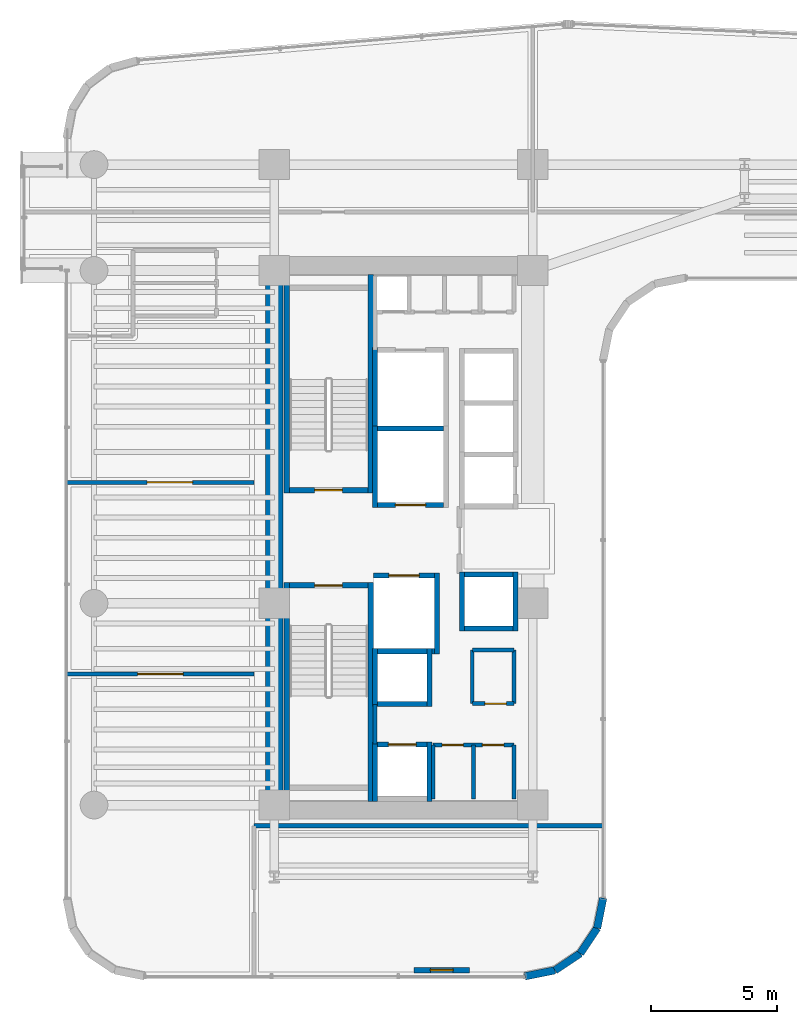
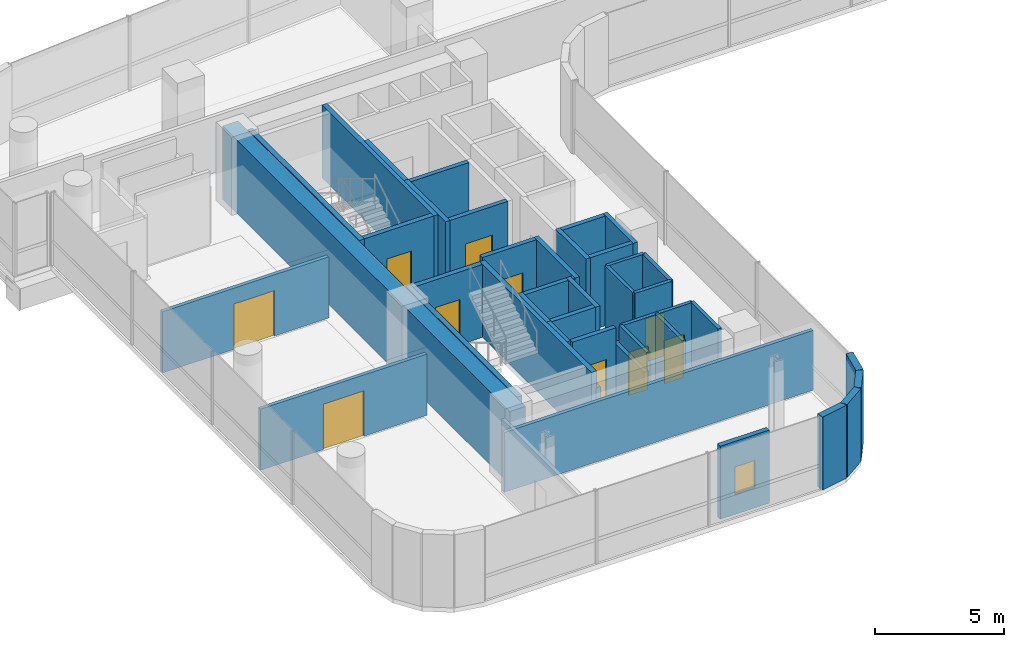
# One storey, part 27 of 35: 41 walls, 10 doors, 1 window, 11 openings.
"""IFC4 building model written with IfcOpenShell, lengths in metres."""

from ifc_helpers import new_model, si_unit, direction, frame, frame_2d, origin, place, context, subcontext, project, spatial, rectangle, extrude, material, layer, layer_set, type_object, element, fill, save


model = new_model("IFC4")

# Units and contexts
model_context = context("Model", 3, precision=1e-05, world=origin(), true_north=direction((0.0, 1.0)))
body_context = subcontext(model_context, "Body", "Model", "MODEL_VIEW")
ifc_project = project(units=[si_unit("LENGTHUNIT", "METRE"), si_unit("AREAUNIT", "SQUARE_METRE"), si_unit("VOLUMEUNIT", "CUBIC_METRE"), si_unit("PLANEANGLEUNIT", "RADIAN"), si_unit("MASSUNIT", "GRAM", prefix="KILO")], contexts=[model_context])

# Site, building, storey
site_placement = place(None, origin())
site = spatial("IfcSite", under=ifc_project, at=site_placement, CompositionType="ELEMENT")
building_placement = place(site_placement, origin())
building = spatial("IfcBuilding", under=site, at=building_placement, Name="Valdorenza Pilgrim Sanctuary Tower", CompositionType="ELEMENT")
storey_placement = place(building_placement, frame((0.0, 0.0, 124.199951171875)))
storey = spatial("IfcBuildingStorey", under=building, at=storey_placement, Name="L31", CompositionType="ELEMENT", Elevation=124.199951171875)

# Wall
ifc_material_1 = material(Name="Acoustic twin-stud gypsum partition", Category="gypsum")
ifc_layer_1 = layer(ifc_material_1, 0.159912109375, Name="Acoustic twin-stud gypsum partition")
ifc_layer_set_1 = layer_set([ifc_layer_1], Name="Acoustic twin-stud gypsum partition")
wall_type_1 = type_object("IfcWallType", Name="WAL-COR-160", PredefinedType="PARTITIONING", material=ifc_layer_set_1)
wall_1_placement = place(storey_placement, frame((-18.64990234375, -8.179931640625, 0.0), z_axis=(0.0, 0.0, 1.0), x_axis=(0.0, 1.0, 0.0)))
element("IfcWall", 1, at=wall_1_placement, inside=storey, type_object=wall_type_1, Name="L31 Core A South Lift Hall West Wall", PredefinedType="PARTITIONING", context=body_context, shape_type="SweptSolid", body=[
    extrude(rectangle(XDim=1.559814453125, YDim=0.159912109375, at=frame_2d((0.77978515625, 0.0))), origin(), (0.0, 0.0, 1.0), 3.4599609375),
])

# Wall, openings, doors
wall_2_placement = place(storey_placement, frame((-16.35009765625, -8.219970703125, 0.0), z_axis=(0.0, 0.0, 1.0), x_axis=(1.0, 0.0, 0.0)))
wall_2 = element("IfcWall", 2, at=wall_2_placement, inside=storey, type_object=wall_type_1, Name="L31 Freed Shaft 1 North Wall", PredefinedType="PARTITIONING", context=body_context, shape_type="SweptSolid", body=[
    extrude(rectangle(XDim=3.2001953125, YDim=0.159912109375, at=frame_2d((1.60009765625, 0.0))), origin(), (0.0, 0.0, 1.0), 3.4599609375),
])
opening_1_placement = place(wall_2_placement, frame((0.35009765625, 0.0, 0.0)))
opening_1 = element("IfcOpeningElement", 3, at=opening_1_placement, cuts=wall_2, Name="Opening DR-RS1", PredefinedType="OPENING", context=body_context, shape_type="SweptSolid", body=[
    extrude(rectangle(XDim=0.85009765625, YDim=2.050048828125, at=frame_2d((0.425048828125, 1.02490234375))), frame((0.0, 0.0947265625, 0.0), z_axis=(0.0, -1.0, 0.0), x_axis=(1.0, 0.0, 0.0)), (0.0, 0.0, 1.0), 0.189697265625),
])
opening_2_placement = place(wall_2_placement, frame((1.949951171875, 0.0, 0.0)))
opening_2 = element("IfcOpeningElement", 4, at=opening_2_placement, cuts=wall_2, Name="Opening DR-RS1", PredefinedType="OPENING", context=body_context, shape_type="SweptSolid", body=[
    extrude(rectangle(XDim=0.85009765625, YDim=2.050048828125, at=frame_2d((0.425048828125, 1.02490234375))), frame((0.0, 0.0947265625, 0.0), z_axis=(0.0, -1.0, 0.0), x_axis=(1.0, 0.0, 0.0)), (0.0, 0.0, 1.0), 0.189697265625),
])
ifc_material_2 = material(Name="Painted galvanized steel", Category="steel")
door_type_1 = type_object("IfcDoorType", Name="DR-RSR-850", OperationType="NOTDEFINED", PredefinedType="DOOR", material=ifc_material_2)
door_1_placement = place(opening_1_placement, origin())
door_1 = element("IfcDoor", 5, at=door_1_placement, inside=storey, type_object=door_type_1, Name="L31 Linen Store Door", OperationType="SINGLE_SWING_LEFT", OverallHeight=2.050048828125, OverallWidth=0.85009765625, PredefinedType="DOOR", context=body_context, shape_type="SweptSolid", body=[
    extrude(rectangle(XDim=0.85009765625, YDim=2.050048828125, at=frame_2d((0.425048828125, 1.02490234375))), frame((0.0, 0.02490234375, 0.0), z_axis=(0.0, -1.0, 0.0), x_axis=(1.0, 0.0, 0.0)), (0.0, 0.0, 1.0), 0.050048828125),
])
fill(opening_1, door_1)
door_2_placement = place(opening_2_placement, origin())
door_2 = element("IfcDoor", 6, at=door_2_placement, inside=storey, type_object=door_type_1, Name="L31 Cot Store Door", OperationType="SINGLE_SWING_RIGHT", OverallHeight=2.050048828125, OverallWidth=0.85009765625, PredefinedType="DOOR", context=body_context, shape_type="SweptSolid", body=[
    extrude(rectangle(XDim=0.85009765625, YDim=2.050048828125, at=frame_2d((0.425048828125, 1.02490234375))), frame((0.0, 0.02490234375, 0.0), z_axis=(0.0, -1.0, 0.0), x_axis=(1.0, 0.0, 0.0)), (0.0, 0.0, 1.0), 0.050048828125),
])
fill(opening_2, door_2)

# Walls
for number, where, z_axis, x_axis, name in (
    (7, (-13.14990234375, -10.35009765625, 0.0), (0.0, 0.0, 1.0), (0.0, 1.0, 0.0), "L31 Freed Shaft 1 East Wall"),
    (8, (-14.75, -10.35009765625, 0.0), (0.0, 0.0, 1.0), (0.0, 1.0, 0.0), "L31 Freed Shaft 1 Split Wall"),
):
    element("IfcWall", number, at=place(storey_placement, frame(where, z_axis=z_axis, x_axis=x_axis)), inside=storey, type_object=wall_type_1, Name=name, PredefinedType="PARTITIONING", context=body_context, shape_type="SweptSolid", body=[
        extrude(rectangle(XDim=2.130126953125, YDim=0.159912109375, at=frame_2d((1.06494140625, 0.0))), origin(), (0.0, 0.0, 1.0), 3.4599609375),
    ])

# Wall, opening, door
wall_3_placement = place(storey_placement, frame((-14.800048828125, -6.580078125, 0.0), z_axis=(0.0, 0.0, 1.0), x_axis=(1.0, 0.0, 0.0)))
wall_3 = element("IfcWall", 9, at=wall_3_placement, inside=storey, type_object=wall_type_1, Name="L31 Freed Shaft 2 South Wall", PredefinedType="PARTITIONING", context=body_context, shape_type="SweptSolid", body=[
    extrude(rectangle(XDim=1.650146484375, YDim=0.159912109375, at=frame_2d((0.8251953125, 0.0))), origin(), (0.0, 0.0, 1.0), 3.4599609375),
])
opening_3_placement = place(wall_3_placement, frame((0.5, 0.0, 0.0)))
opening_3 = element("IfcOpeningElement", 10, at=opening_3_placement, cuts=wall_3, Name="Opening DR-RS1", PredefinedType="OPENING", context=body_context, shape_type="SweptSolid", body=[
    extrude(rectangle(XDim=0.85009765625, YDim=2.050048828125, at=frame_2d((0.425048828125, 1.02490234375))), frame((0.0, 0.0947265625, 0.0), z_axis=(0.0, -1.0, 0.0), x_axis=(1.0, 0.0, 0.0)), (0.0, 0.0, 1.0), 0.189697265625),
])
door_3_placement = place(opening_3_placement, origin())
door_3 = element("IfcDoor", 11, at=door_3_placement, inside=storey, type_object=door_type_1, Name="L31 Guest Tea Pantry Door", OperationType="SINGLE_SWING_LEFT", OverallHeight=2.050048828125, OverallWidth=0.85009765625, PredefinedType="DOOR", context=body_context, shape_type="SweptSolid", body=[
    extrude(rectangle(XDim=0.85009765625, YDim=2.050048828125, at=frame_2d((0.425048828125, 1.02490234375))), frame((0.0, 0.02490234375, 0.0), z_axis=(0.0, -1.0, 0.0), x_axis=(1.0, 0.0, 0.0)), (0.0, 0.0, 1.0), 0.050048828125),
])
fill(opening_3, door_3)

# Walls
wall_4_placement = place(storey_placement, frame((-13.14990234375, -6.580078125, 0.0), z_axis=(0.0, 0.0, 1.0), x_axis=(0.0, 1.0, 0.0)))
element("IfcWall", 12, at=wall_4_placement, inside=storey, type_object=wall_type_1, Name="L31 Freed Shaft 2 East Wall", PredefinedType="PARTITIONING", context=body_context, shape_type="SweptSolid", body=[
    extrude(rectangle(XDim=2.130126953125, YDim=0.159912109375, at=frame_2d((1.06494140625, 0.0))), origin(), (0.0, 0.0, 1.0), 3.4599609375),
])
wall_5_placement = place(storey_placement, frame((-23.449951171875, -11.419921875, 0.0), z_axis=(0.0, 0.0, 1.0), x_axis=(1.0, 0.0, 0.0)))
element("IfcWall", 13, at=wall_5_placement, inside=storey, type_object=wall_type_1, Name="L31 South-East Pocket North Wall", PredefinedType="PARTITIONING", context=body_context, shape_type="SweptSolid", body=[
    extrude(rectangle(XDim=13.83984375, YDim=0.159912109375, at=frame_2d((6.919921875, 0.0))), origin(), (0.0, 0.0, 1.0), 2.833984375),
])

# Wall, opening, door
wall_6_placement = place(storey_placement, frame((-30.889892578125, -5.39990234375, 0.0), z_axis=(0.0, 0.0, 1.0), x_axis=(1.0, 0.0, 0.0)))
wall_6 = element("IfcWall", 14, at=wall_6_placement, inside=storey, type_object=wall_type_1, Name="L31 Cloister South Room Wall", PredefinedType="PARTITIONING", context=body_context, shape_type="SweptSolid", body=[
    extrude(rectangle(XDim=7.43994140625, YDim=0.159912109375, at=frame_2d((3.719970703125, 0.0))), origin(), (0.0, 0.0, 1.0), 2.89599609375),
])
opening_4_placement = place(wall_6_placement, frame((2.820068359375, 0.0, 0.0)))
opening_4 = element("IfcOpeningElement", 15, at=opening_4_placement, cuts=wall_6, Name="Opening DR-HL1", PredefinedType="OPENING", context=body_context, shape_type="SweptSolid", body=[
    extrude(rectangle(XDim=1.800048828125, YDim=2.14990234375, at=frame_2d((0.89990234375, 1.074951171875))), frame((0.0, 0.0947265625, 0.0), z_axis=(0.0, -1.0, 0.0), x_axis=(1.0, 0.0, 0.0)), (0.0, 0.0, 1.0), 0.189697265625),
])
ifc_material_3 = material(Name="Acoustic oak and vision-glass double door", Category="glass")
door_type_2 = type_object("IfcDoorType", Name="DR-HALL-1800", OperationType="NOTDEFINED", PredefinedType="DOOR", material=ifc_material_3)
door_4_placement = place(opening_4_placement, origin())
door_4 = element("IfcDoor", 16, at=door_4_placement, inside=storey, type_object=door_type_2, Name="L31 Sacred Archive Reading Library L31-S1 Door", OperationType="DOUBLE_DOOR_SINGLE_SWING", OverallHeight=2.14990234375, OverallWidth=1.800048828125, PredefinedType="DOOR", context=body_context, shape_type="SweptSolid", body=[
    extrude(rectangle(XDim=1.800048828125, YDim=2.14990234375, at=frame_2d((0.89990234375, 1.074951171875))), frame((0.0, 0.02490234375, 0.0), z_axis=(0.0, -1.0, 0.0), x_axis=(1.0, 0.0, 0.0)), (0.0, 0.0, 1.0), 0.050048828125),
])
fill(opening_4, door_4)

wall_7_placement = place(storey_placement, frame((-30.889892578125, 2.199951171875, 0.0), z_axis=(0.0, 0.0, 1.0), x_axis=(1.0, 0.0, 0.0)))
wall_7 = element("IfcWall", 17, at=wall_7_placement, inside=storey, type_object=wall_type_1, Name="L31 Cloister Mid Wall 2", PredefinedType="PARTITIONING", context=body_context, shape_type="SweptSolid", body=[
    extrude(rectangle(XDim=7.43994140625, YDim=0.159912109375, at=frame_2d((3.719970703125, 0.0))), origin(), (0.0, 0.0, 1.0), 2.89599609375),
])
opening_5_placement = place(wall_7_placement, frame((3.199951171875, 0.0, 0.0)))
opening_5 = element("IfcOpeningElement", 18, at=opening_5_placement, cuts=wall_7, Name="Opening DR-HL1", PredefinedType="OPENING", context=body_context, shape_type="SweptSolid", body=[
    extrude(rectangle(XDim=1.800048828125, YDim=2.14990234375, at=frame_2d((0.89990234375, 1.074951171875))), frame((0.0, 0.0947265625, 0.0), z_axis=(0.0, -1.0, 0.0), x_axis=(1.0, 0.0, 0.0)), (0.0, 0.0, 1.0), 0.189697265625),
])
door_5_placement = place(opening_5_placement, origin())
door_5 = element("IfcDoor", 19, at=door_5_placement, inside=storey, type_object=door_type_2, Name="L31 Cloister Mid Double Door", OperationType="DOUBLE_DOOR_SINGLE_SWING", OverallHeight=2.14990234375, OverallWidth=1.800048828125, PredefinedType="DOOR", context=body_context, shape_type="SweptSolid", body=[
    extrude(rectangle(XDim=1.800048828125, YDim=2.14990234375, at=frame_2d((0.89990234375, 1.074951171875))), frame((0.0, 0.02490234375, 0.0), z_axis=(0.0, -1.0, 0.0), x_axis=(1.0, 0.0, 0.0)), (0.0, 0.0, 1.0), 0.050048828125),
])
fill(opening_5, door_5)

# Walls
ifc_material_4 = material(Name="Concrete C60/75", Category="concrete")
ifc_layer_2 = layer(ifc_material_4, 0.699951171875, Name="Concrete C60/75")
ifc_layer_set_2 = layer_set([ifc_layer_2], Name="Concrete C60/75")
wall_type_2 = type_object("IfcWallType", Name="WAL-COR-700", PredefinedType="SHEAR", material=ifc_layer_set_2)
wall_8_placement = place(storey_placement, frame((-22.64990234375, -11.14990234375, 0.0), z_axis=(0.0, 0.0, 1.0), x_axis=(0.0, 1.0, 0.0)))
element("IfcWall", 20, at=wall_8_placement, inside=storey, type_object=wall_type_2, Name="L31 Split Core A Shear Wall W", PredefinedType="SHEAR", context=body_context, shape_type="SweptSolid", body=[
    extrude(rectangle(XDim=22.2998046875, YDim=0.699951171875, at=frame_2d((11.14990234375, 0.0))), origin(), (0.0, 0.0, 1.0), 3.4599609375),
])
ifc_material_5 = material(Name="Honed travertine limestone", Category="masonry")
ifc_layer_3 = layer(ifc_material_5, 0.300048828125, Name="Honed travertine limestone")
ifc_layer_set_3 = layer_set([ifc_layer_3], Name="Honed travertine limestone")
wall_type_3 = type_object("IfcWallType", Name="WAL-EXT-300", PredefinedType="SOLIDWALL", material=ifc_layer_set_3)
wall_9_placement = place(storey_placement, frame((-9.610107421875, -14.289306640625, 0.0), z_axis=(0.0, 0.0, 1.0), x_axis=(-0.194996050505, -0.980804027463, 0.0)))
element("IfcWall", 21, at=wall_9_placement, inside=storey, type_object=wall_type_3, Name="L31 Rounded Wind-Corner Stone Pier 42", PredefinedType="SOLIDWALL", context=body_context, shape_type="SweptSolid", body=[
    extrude(rectangle(XDim=1.2158203125, YDim=0.300048828125, at=frame_2d((0.60791015625, 0.0))), origin(), (0.0, 0.0, 1.0), 3.4599609375),
])
for number, where, z_axis, x_axis, name in (
    (22, (-9.84716796875, -15.481689453125, 0.0), (0.0, 0.0, 1.0), (-0.555635100982, -0.831426265255, 0.0), "L31 Rounded Wind-Corner Stone Pier 43"),
    (23, (-10.5166015625, -16.4833984375, 0.0), (0.0, 0.0, 1.0), (-0.831426265255, -0.555635100982, 0.0), "L31 Rounded Wind-Corner Stone Pier 44"),
):
    element("IfcWall", number, at=place(storey_placement, frame(where, z_axis=z_axis, x_axis=x_axis)), inside=storey, type_object=wall_type_3, Name=name, PredefinedType="SOLIDWALL", context=body_context, shape_type="SweptSolid", body=[
        extrude(rectangle(XDim=1.204833984375, YDim=0.300048828125, at=frame_2d((0.6025390625, 0.0))), origin(), (0.0, 0.0, 1.0), 3.4599609375),
    ])
wall_10_placement = place(storey_placement, frame((-11.518310546875, -17.15283203125, 0.0), z_axis=(0.0, 0.0, 1.0), x_axis=(-0.980804027463, -0.194996050505, 0.0)))
element("IfcWall", 24, at=wall_10_placement, inside=storey, type_object=wall_type_3, Name="L31 Rounded Wind-Corner Stone Pier 45", PredefinedType="SOLIDWALL", context=body_context, shape_type="SweptSolid", body=[
    extrude(rectangle(XDim=1.2158203125, YDim=0.300048828125, at=frame_2d((0.60791015625, 0.0))), origin(), (0.0, 0.0, 1.0), 3.4599609375),
])

# Wall, opening, window
wall_11_placement = place(storey_placement, frame((-14.910888671875, -17.14990234375, 0.0), z_axis=(0.0, 0.0, 1.0), x_axis=(-1.0, 0.0, 0.0)))
wall_11 = element("IfcWall", 25, at=wall_11_placement, inside=storey, type_object=wall_type_3, Name="L31 Operable Ventilation Sash Jamb Pier", PredefinedType="SOLIDWALL", context=body_context, shape_type="SweptSolid", body=[
    extrude(rectangle(XDim=2.199951171875, YDim=0.219970703125, at=frame_2d((1.10009765625, 0.0))), origin(), (0.0, 0.0, 1.0), 3.4599609375),
])
opening_6_placement = place(wall_11_placement, frame((0.64990234375, 0.0, 0.949951171875)))
opening_6 = element("IfcOpeningElement", 26, at=opening_6_placement, cuts=wall_11, Name="Opening WN-OP1", PredefinedType="OPENING", context=body_context, shape_type="SweptSolid", body=[
    extrude(rectangle(XDim=0.89990234375, YDim=1.300048828125, at=frame_2d((0.449951171875, 0.64990234375))), frame((0.0, 0.125, 0.0), z_axis=(0.0, -1.0, 0.0), x_axis=(1.0, 0.0, 0.0)), (0.0, 0.0, 1.0), 0.249755859375),
])
ifc_material_6 = material(Name="Ceramic-fritted low-E IGU glazing", Category="glass")
window_type = type_object("IfcWindowType", Name="WIN-OPN-900", PartitioningType="SINGLE_PANEL", PredefinedType="WINDOW", material=ifc_material_6)
window_placement = place(opening_6_placement, origin())
window = element("IfcWindow", 27, at=window_placement, inside=storey, type_object=window_type, Name="L31 Parallel-Pop-Out Operable Facade Panel", OverallHeight=1.300048828125, OverallWidth=0.89990234375, PartitioningType="SINGLE_PANEL", PredefinedType="WINDOW", context=body_context, shape_type="SweptSolid", body=[
    extrude(rectangle(XDim=0.89990234375, YDim=1.300048828125, at=frame_2d((0.449951171875, 0.64990234375))), frame((0.0, 0.030029296875, 0.0), z_axis=(0.0, -1.0, 0.0), x_axis=(1.0, 0.0, 0.0)), (0.0, 0.0, 1.0), 0.06005859375),
])
fill(opening_6, window)

# Wall
ifc_material_7 = material(Name="Autoclaved aerated concrete blockwork", Category="masonry")
ifc_layer_4 = layer(ifc_material_7, 0.199951171875, Name="Autoclaved aerated concrete blockwork")
ifc_layer_set_4 = layer_set([ifc_layer_4], Name="Autoclaved aerated concrete blockwork")
wall_type_4 = type_object("IfcWallType", Name="WAL-SHF-200", PredefinedType="MOVABLE", material=ifc_layer_set_4)
wall_12_placement = place(storey_placement, frame((-18.64990234375, 1.199951171875, 0.0), z_axis=(0.0, 0.0, 1.0), x_axis=(0.0, 1.0, 0.0)))
element("IfcWall", 28, at=wall_12_placement, inside=storey, type_object=wall_type_4, Name="L31 Lift FFL-01 Hoistway Wall West", PredefinedType="MOVABLE", context=body_context, shape_type="SweptSolid", body=[
    extrude(rectangle(XDim=3.22509765625, YDim=0.199951171875, at=frame_2d((1.612548828125, 0.0))), origin(), (0.0, 0.0, 1.0), 3.4599609375),
])

# Wall, opening, door
wall_13_placement = place(storey_placement, frame((-18.550048828125, 1.300048828125, 0.0), z_axis=(0.0, 0.0, 1.0), x_axis=(1.0, 0.0, 0.0)))
wall_13 = element("IfcWall", 29, at=wall_13_placement, inside=storey, type_object=wall_type_4, Name="L31 Lift FFL-01 Hoistway Wall South", PredefinedType="MOVABLE", context=body_context, shape_type="SweptSolid", body=[
    extrude(rectangle(XDim=2.60009765625, YDim=0.199951171875, at=frame_2d((1.300048828125, 0.0))), origin(), (0.0, 0.0, 1.0), 3.4599609375),
])
opening_7_placement = place(wall_13_placement, frame((0.699951171875, 0.0, 0.0)))
opening_7 = element("IfcOpeningElement", 30, at=opening_7_placement, cuts=wall_13, Name="Opening LD-02", PredefinedType="OPENING", context=body_context, shape_type="SweptSolid", body=[
    extrude(rectangle(XDim=1.199951171875, YDim=2.10009765625, at=frame_2d((0.60009765625, 1.050048828125))), frame((0.0, 0.11474609375, 0.0), z_axis=(0.0, -1.0, 0.0), x_axis=(1.0, 0.0, 0.0)), (0.0, 0.0, 1.0), 0.229736328125),
])
ifc_material_8 = material(Name="Brushed stainless steel Grade 316", Category="steel")
door_type_3 = type_object("IfcDoorType", Name="DR-LFT-1200", OperationType="DOUBLE_DOOR_SLIDING", PredefinedType="DOOR", material=ifc_material_8)
door_6_placement = place(opening_7_placement, origin())
door_6 = element("IfcDoor", 31, at=door_6_placement, inside=storey, type_object=door_type_3, Name="L31 Lift FFL-01 Sliding Landing Door", OperationType="DOUBLE_DOOR_SLIDING", OverallHeight=2.10009765625, OverallWidth=1.199951171875, PredefinedType="DOOR", context=body_context, shape_type="SweptSolid", body=[
    extrude(rectangle(XDim=1.199951171875, YDim=2.10009765625, at=frame_2d((0.60009765625, 1.050048828125))), frame((0.0, 0.02490234375, 0.0), z_axis=(0.0, -1.0, 0.0), x_axis=(1.0, 0.0, 0.0)), (0.0, 0.0, 1.0), 0.050048828125),
])
fill(opening_7, door_6)

# Walls
wall_14_placement = place(storey_placement, frame((-18.550048828125, 4.324951171875, 0.0), z_axis=(0.0, 0.0, 1.0), x_axis=(1.0, 0.0, 0.0)))
element("IfcWall", 32, at=wall_14_placement, inside=storey, type_object=wall_type_4, Name="L31 Lift FFL-01 Hoistway Wall North", PredefinedType="MOVABLE", context=body_context, shape_type="SweptSolid", body=[
    extrude(rectangle(XDim=2.60009765625, YDim=0.199951171875, at=frame_2d((1.300048828125, 0.0))), origin(), (0.0, 0.0, 1.0), 3.4599609375),
])
wall_15_placement = place(storey_placement, frame((-16.199951171875, -4.60009765625, 0.0), z_axis=(0.0, 0.0, 1.0), x_axis=(0.0, 1.0, 0.0)))
element("IfcWall", 33, at=wall_15_placement, inside=storey, type_object=wall_type_4, Name="L31 Lift FFL-02 Hoistway Wall East", PredefinedType="MOVABLE", context=body_context, shape_type="SweptSolid", body=[
    extrude(rectangle(XDim=3.2001953125, YDim=0.199951171875, at=frame_2d((1.60009765625, 0.0))), origin(), (0.0, 0.0, 1.0), 3.4599609375),
])
wall_16_placement = place(storey_placement, frame((-18.719970703125, -4.5, 0.0), z_axis=(0.0, 0.0, 1.0), x_axis=(1.0, 0.0, 0.0)))
element("IfcWall", 34, at=wall_16_placement, inside=storey, type_object=wall_type_4, Name="L31 Lift FFL-02 Hoistway Wall South", PredefinedType="MOVABLE", context=body_context, shape_type="SweptSolid", body=[
    extrude(rectangle(XDim=2.419921875, YDim=0.199951171875, at=frame_2d((1.2099609375, 0.0))), origin(), (0.0, 0.0, 1.0), 3.4599609375),
])

# Wall, opening, door
wall_17_placement = place(storey_placement, frame((-18.719970703125, -1.5, 0.0), z_axis=(0.0, 0.0, 1.0), x_axis=(1.0, 0.0, 0.0)))
wall_17 = element("IfcWall", 35, at=wall_17_placement, inside=storey, type_object=wall_type_4, Name="L31 Lift FFL-02 Hoistway Wall North", PredefinedType="MOVABLE", context=body_context, shape_type="SweptSolid", body=[
    extrude(rectangle(XDim=2.419921875, YDim=0.199951171875, at=frame_2d((1.2099609375, 0.0))), origin(), (0.0, 0.0, 1.0), 3.4599609375),
])
opening_8_placement = place(wall_17_placement, frame((0.610107421875, 0.0, 0.0)))
opening_8 = element("IfcOpeningElement", 36, at=opening_8_placement, cuts=wall_17, Name="Opening LD-02", PredefinedType="OPENING", context=body_context, shape_type="SweptSolid", body=[
    extrude(rectangle(XDim=1.199951171875, YDim=2.10009765625, at=frame_2d((0.60009765625, 1.050048828125))), frame((0.0, 0.11474609375, 0.0), z_axis=(0.0, -1.0, 0.0), x_axis=(1.0, 0.0, 0.0)), (0.0, 0.0, 1.0), 0.229736328125),
])
door_7_placement = place(opening_8_placement, origin())
door_7 = element("IfcDoor", 37, at=door_7_placement, inside=storey, type_object=door_type_3, Name="L31 Lift FFL-02 Sliding Landing Door", OperationType="DOUBLE_DOOR_SLIDING", OverallHeight=2.10009765625, OverallWidth=1.199951171875, PredefinedType="DOOR", context=body_context, shape_type="SweptSolid", body=[
    extrude(rectangle(XDim=1.199951171875, YDim=2.10009765625, at=frame_2d((0.60009765625, 1.050048828125))), frame((0.0, 0.02490234375, 0.0), z_axis=(0.0, -1.0, 0.0), x_axis=(1.0, 0.0, 0.0)), (0.0, 0.0, 1.0), 0.050048828125),
])
fill(opening_8, door_7)

# Walls
wall_18_placement = place(storey_placement, frame((-18.64990234375, 4.22509765625, 0.0), z_axis=(0.0, 0.0, 1.0), x_axis=(0.0, 1.0, 0.0)))
element("IfcWall", 38, at=wall_18_placement, inside=storey, type_object=wall_type_4, Name="L31 Lift SVL-01 Hoistway Wall West", PredefinedType="MOVABLE", context=body_context, shape_type="SweptSolid", body=[
    extrude(rectangle(XDim=3.324951171875, YDim=0.199951171875, at=frame_2d((1.66259765625, 0.0))), origin(), (0.0, 0.0, 1.0), 3.4599609375),
])
for number, where, z_axis, x_axis, name in (
    (39, (-18.64990234375, -10.449951171875, 0.0), (0.0, 0.0, 1.0), (0.0, 1.0, 0.0), "L31 Lift PL-05 Hoistway Wall West"),
    (40, (-16.5, -10.449951171875, 0.0), (0.0, 0.0, 1.0), (0.0, 1.0, 0.0), "L31 Lift PL-05 Hoistway Wall East"),
):
    element("IfcWall", number, at=place(storey_placement, frame(where, z_axis=z_axis, x_axis=x_axis)), inside=storey, type_object=wall_type_4, Name=name, PredefinedType="MOVABLE", context=body_context, shape_type="SweptSolid", body=[
        extrude(rectangle(XDim=2.349853515625, YDim=0.199951171875, at=frame_2d((1.1748046875, 0.0))), origin(), (0.0, 0.0, 1.0), 2.666015625),
    ])

# Wall, opening, door
wall_19_placement = place(storey_placement, frame((-18.550048828125, -8.199951171875, 0.0), z_axis=(0.0, 0.0, 1.0), x_axis=(1.0, 0.0, 0.0)))
wall_19 = element("IfcWall", 41, at=wall_19_placement, inside=storey, type_object=wall_type_4, Name="L31 Lift PL-05 Hoistway Wall North", PredefinedType="MOVABLE", context=body_context, shape_type="SweptSolid", body=[
    extrude(rectangle(XDim=1.949951171875, YDim=0.199951171875, at=frame_2d((0.97509765625, 0.0))), origin(), (0.0, 0.0, 1.0), 3.4599609375),
])
opening_9_placement = place(wall_19_placement, frame((0.425048828125, 0.0, 0.0)))
opening_9 = element("IfcOpeningElement", 42, at=opening_9_placement, cuts=wall_19, Name="Opening LD-01", PredefinedType="OPENING", context=body_context, shape_type="SweptSolid", body=[
    extrude(rectangle(XDim=1.10009765625, YDim=2.10009765625, at=frame_2d((0.550048828125, 1.050048828125))), frame((0.0, 0.11474609375, 0.0), z_axis=(0.0, -1.0, 0.0), x_axis=(1.0, 0.0, 0.0)), (0.0, 0.0, 1.0), 0.229736328125),
])
door_type_4 = type_object("IfcDoorType", Name="DR-LFT-1100", OperationType="DOUBLE_DOOR_SLIDING", PredefinedType="DOOR", material=ifc_material_8)
door_8_placement = place(opening_9_placement, origin())
door_8 = element("IfcDoor", 43, at=door_8_placement, inside=storey, type_object=door_type_4, Name="L31 Lift PL-05 Sliding Landing Door", OperationType="DOUBLE_DOOR_SLIDING", OverallHeight=2.10009765625, OverallWidth=1.10009765625, PredefinedType="DOOR", context=body_context, shape_type="SweptSolid", body=[
    extrude(rectangle(XDim=1.10009765625, YDim=2.10009765625, at=frame_2d((0.550048828125, 1.050048828125))), frame((0.0, 0.02490234375, 0.0), z_axis=(0.0, -1.0, 0.0), x_axis=(1.0, 0.0, 0.0)), (0.0, 0.0, 1.0), 0.050048828125),
])
fill(opening_9, door_8)

# Walls
for number, where, z_axis, x_axis, name in (
    (44, (-18.64990234375, -6.699951171875, 0.0), (0.0, 0.0, 1.0), (0.0, 1.0, 0.0), "L31 Lift PL-11 Hoistway Wall West"),
    (45, (-16.5, -6.699951171875, 0.0), (0.0, 0.0, 1.0), (0.0, 1.0, 0.0), "L31 Lift PL-11 Hoistway Wall East"),
):
    element("IfcWall", number, at=place(storey_placement, frame(where, z_axis=z_axis, x_axis=x_axis)), inside=storey, type_object=wall_type_4, Name=name, PredefinedType="MOVABLE", context=body_context, shape_type="SweptSolid", body=[
        extrude(rectangle(XDim=2.300048828125, YDim=0.199951171875, at=frame_2d((1.14990234375, 0.0))), origin(), (0.0, 0.0, 1.0), 3.4599609375),
    ])
wall_20_placement = place(storey_placement, frame((-18.550048828125, -6.60009765625, 0.0), z_axis=(0.0, 0.0, 1.0), x_axis=(1.0, 0.0, 0.0)))
element("IfcWall", 46, at=wall_20_placement, inside=storey, type_object=wall_type_4, Name="L31 Lift PL-11 Hoistway Wall South", PredefinedType="MOVABLE", context=body_context, shape_type="SweptSolid", body=[
    extrude(rectangle(XDim=1.949951171875, YDim=0.199951171875, at=frame_2d((0.97509765625, 0.0))), origin(), (0.0, 0.0, 1.0), 3.4599609375),
])
for number, where, z_axis, x_axis, name in (
    (47, (-15.199951171875, -3.699951171875, 0.0), (0.0, 0.0, 1.0), (0.0, 1.0, 0.0), "L31 Lift PL-12 Hoistway Wall West"),
    (48, (-13.080078125, -3.699951171875, 0.0), (0.0, 0.0, 1.0), (0.0, 1.0, 0.0), "L31 Lift PL-12 Hoistway Wall East"),
):
    element("IfcWall", number, at=place(storey_placement, frame(where, z_axis=z_axis, x_axis=x_axis)), inside=storey, type_object=wall_type_4, Name=name, PredefinedType="MOVABLE", context=body_context, shape_type="SweptSolid", body=[
        extrude(rectangle(XDim=2.349853515625, YDim=0.199951171875, at=frame_2d((1.1748046875, 0.0))), origin(), (0.0, 0.0, 1.0), 3.4599609375),
    ])
for number, where, z_axis, x_axis, name in (
    (49, (-15.10009765625, -3.60009765625, 0.0), (0.0, 0.0, 1.0), (1.0, 0.0, 0.0), "L31 Lift PL-12 Hoistway Wall South"),
    (50, (-15.10009765625, -1.449951171875, 0.0), (0.0, 0.0, 1.0), (1.0, 0.0, 0.0), "L31 Lift PL-12 Hoistway Wall North"),
):
    element("IfcWall", number, at=place(storey_placement, frame(where, z_axis=z_axis, x_axis=x_axis)), inside=storey, type_object=wall_type_4, Name=name, PredefinedType="MOVABLE", context=body_context, shape_type="SweptSolid", body=[
        extrude(rectangle(XDim=1.920166015625, YDim=0.199951171875, at=frame_2d((0.9599609375, 0.0))), origin(), (0.0, 0.0, 1.0), 3.4599609375),
    ])
ifc_material_9 = material(Name="Concrete C40/50", Category="concrete")
ifc_layer_5 = layer(ifc_material_9, 0.219970703125, Name="Concrete C40/50")
ifc_layer_set_5 = layer_set([ifc_layer_5], Name="Concrete C40/50")
wall_type_5 = type_object("IfcWallType", Name="WAL-STR-SHF-220", PredefinedType="SHEAR", material=ifc_layer_set_5)
for number, where, z_axis, x_axis, name in (
    (51, (-22.159912109375, 1.780029296875, 0.0), (0.0, 0.0, 1.0), (0.0, 1.0, 0.0), "L31 ST-A1 Structural Stairwell Wall W"),
    (52, (-18.830078125, 1.780029296875, 0.0), (0.0, 0.0, 1.0), (0.0, 1.0, 0.0), "L31 ST-A1 Structural Stairwell Wall E"),
):
    element("IfcWall", number, at=place(storey_placement, frame(where, z_axis=z_axis, x_axis=x_axis)), inside=storey, type_object=wall_type_5, Name=name, PredefinedType="SHEAR", context=body_context, shape_type="SweptSolid", body=[
        extrude(rectangle(XDim=8.669921875, YDim=0.219970703125, at=frame_2d((4.3349609375, 0.0))), origin(), (0.0, 0.0, 1.0), 3.4599609375),
    ])

# Wall, opening, door
wall_21_placement = place(storey_placement, frame((-22.050048828125, 1.889892578125, 0.0), z_axis=(0.0, 0.0, 1.0), x_axis=(1.0, 0.0, 0.0)))
wall_21 = element("IfcWall", 53, at=wall_21_placement, inside=storey, type_object=wall_type_5, Name="L31 ST-A1 Structural Stairwell Wall S", PredefinedType="SHEAR", context=body_context, shape_type="SweptSolid", body=[
    extrude(rectangle(XDim=3.110107421875, YDim=0.219970703125, at=frame_2d((1.55517578125, 0.0))), origin(), (0.0, 0.0, 1.0), 3.4599609375),
])
opening_10_placement = place(wall_21_placement, frame((1.0, 0.0, 0.0)))
opening_10 = element("IfcOpeningElement", 54, at=opening_10_placement, cuts=wall_21, Name="Opening DR-ST1", PredefinedType="OPENING", context=body_context, shape_type="SweptSolid", body=[
    extrude(rectangle(XDim=1.10009765625, YDim=2.14990234375, at=frame_2d((0.550048828125, 1.074951171875))), frame((0.0, 0.125, 0.0), z_axis=(0.0, -1.0, 0.0), x_axis=(1.0, 0.0, 0.0)), (0.0, 0.0, 1.0), 0.249755859375),
])
door_type_5 = type_object("IfcDoorType", Name="DR-STAIR-1100", OperationType="NOTDEFINED", PredefinedType="DOOR", material=ifc_material_2)
door_9_placement = place(opening_10_placement, frame((1.10009765625, 0.0, 0.0), z_axis=(0.0, 0.0, 1.0), x_axis=(-1.0, 0.0, 0.0)))
door_9 = element("IfcDoor", 55, at=door_9_placement, inside=storey, type_object=door_type_5, Name="L31 Exit Stair ST-A1 Door", OperationType="SINGLE_SWING_LEFT", OverallHeight=2.14990234375, OverallWidth=1.10009765625, PredefinedType="DOOR", context=body_context, shape_type="SweptSolid", body=[
    extrude(rectangle(XDim=1.10009765625, YDim=2.14990234375, at=frame_2d((0.550048828125, 1.074951171875))), frame((0.0, 0.02490234375, 0.0), z_axis=(0.0, -1.0, 0.0), x_axis=(1.0, 0.0, 0.0)), (0.0, 0.0, 1.0), 0.050048828125),
])
fill(opening_10, door_9)

# Walls
for number, where, z_axis, x_axis, name in (
    (56, (-22.159912109375, -10.449951171875, 0.0), (0.0, 0.0, 1.0), (0.0, 1.0, 0.0), "L31 ST-A2 Structural Stairwell Wall W"),
    (57, (-18.830078125, -10.449951171875, 0.0), (0.0, 0.0, 1.0), (0.0, 1.0, 0.0), "L31 ST-A2 Structural Stairwell Wall E"),
):
    element("IfcWall", number, at=place(storey_placement, frame(where, z_axis=z_axis, x_axis=x_axis)), inside=storey, type_object=wall_type_5, Name=name, PredefinedType="SHEAR", context=body_context, shape_type="SweptSolid", body=[
        extrude(rectangle(XDim=8.669921875, YDim=0.219970703125, at=frame_2d((4.3349609375, 0.0))), origin(), (0.0, 0.0, 1.0), 3.4599609375),
    ])

# Wall, opening, door
wall_22_placement = place(storey_placement, frame((-22.050048828125, -1.889892578125, 0.0), z_axis=(0.0, 0.0, 1.0), x_axis=(1.0, 0.0, 0.0)))
wall_22 = element("IfcWall", 58, at=wall_22_placement, inside=storey, type_object=wall_type_5, Name="L31 ST-A2 Structural Stairwell Wall N", PredefinedType="SHEAR", context=body_context, shape_type="SweptSolid", body=[
    extrude(rectangle(XDim=3.110107421875, YDim=0.219970703125, at=frame_2d((1.55517578125, 0.0))), origin(), (0.0, 0.0, 1.0), 3.4599609375),
])
opening_11_placement = place(wall_22_placement, frame((1.0, 0.0, 0.0)))
opening_11 = element("IfcOpeningElement", 59, at=opening_11_placement, cuts=wall_22, Name="Opening DR-ST1", PredefinedType="OPENING", context=body_context, shape_type="SweptSolid", body=[
    extrude(rectangle(XDim=1.10009765625, YDim=2.14990234375, at=frame_2d((0.550048828125, 1.074951171875))), frame((0.0, 0.125, 0.0), z_axis=(0.0, -1.0, 0.0), x_axis=(1.0, 0.0, 0.0)), (0.0, 0.0, 1.0), 0.249755859375),
])
door_10_placement = place(opening_11_placement, origin())
door_10 = element("IfcDoor", 60, at=door_10_placement, inside=storey, type_object=door_type_5, Name="L31 Exit Stair ST-A2 Door", OperationType="SINGLE_SWING_RIGHT", OverallHeight=2.14990234375, OverallWidth=1.10009765625, PredefinedType="DOOR", context=body_context, shape_type="SweptSolid", body=[
    extrude(rectangle(XDim=1.10009765625, YDim=2.14990234375, at=frame_2d((0.550048828125, 1.074951171875))), frame((0.0, 0.02490234375, 0.0), z_axis=(0.0, -1.0, 0.0), x_axis=(1.0, 0.0, 0.0)), (0.0, 0.0, 1.0), 0.050048828125),
])
fill(opening_11, door_10)

# Walls
ifc_layer_6 = layer(ifc_material_1, 0.14990234375, Name="Acoustic twin-stud gypsum partition")
ifc_layer_set_6 = layer_set([ifc_layer_6], Name="Acoustic twin-stud gypsum partition")
wall_type_6 = type_object("IfcWallType", Name="WAL-UNT-150", PredefinedType="PARTITIONING", material=ifc_layer_set_6)
for number, where, z_axis, x_axis, name in (
    (61, (-16.35009765625, -10.35009765625, 0.0), (0.0, 0.0, 1.0), (0.0, 1.0, 0.0), "L31 Freed Shaft 1 West Wall"),
    (62, (-14.800048828125, -6.580078125, 0.0), (0.0, 0.0, 1.0), (0.0, 1.0, 0.0), "L31 Freed Shaft 2 West Wall"),
):
    element("IfcWall", number, at=place(storey_placement, frame(where, z_axis=z_axis, x_axis=x_axis)), inside=storey, type_object=wall_type_6, Name=name, PredefinedType="PARTITIONING", context=body_context, shape_type="SweptSolid", body=[
        extrude(rectangle(XDim=2.130126953125, YDim=0.14990234375, at=frame_2d((1.06494140625, 0.0))), origin(), (0.0, 0.0, 1.0), 3.4599609375),
    ])
wall_23_placement = place(storey_placement, frame((-14.800048828125, -4.449951171875, 0.0), z_axis=(0.0, 0.0, 1.0), x_axis=(1.0, 0.0, 0.0)))
element("IfcWall", 63, at=wall_23_placement, inside=storey, type_object=wall_type_6, Name="L31 Freed Shaft 2 North Wall", PredefinedType="PARTITIONING", context=body_context, shape_type="SweptSolid", body=[
    extrude(rectangle(XDim=1.650146484375, YDim=0.14990234375, at=frame_2d((0.8251953125, 0.0))), origin(), (0.0, 0.0, 1.0), 3.4599609375),
])

save(model, "model.ifc")
